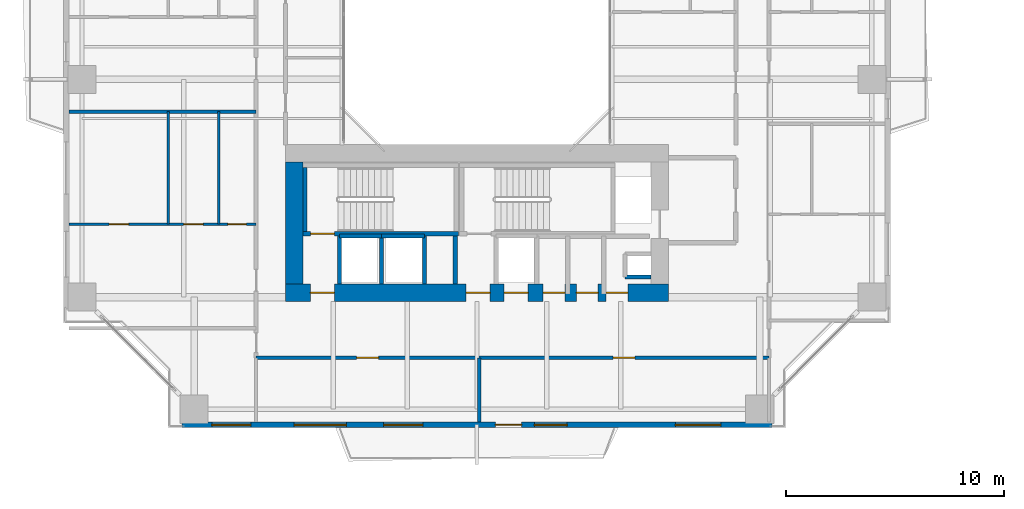
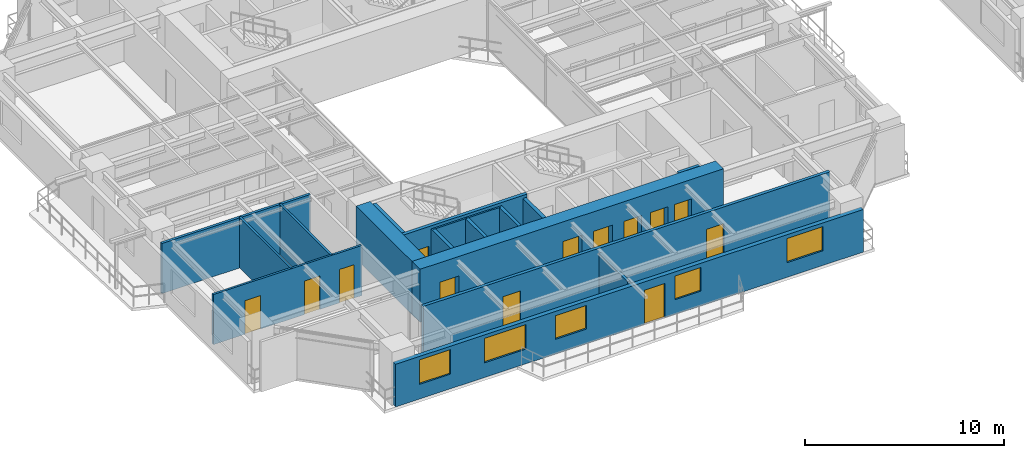
# One storey, part 12 of 23: 18 walls, 13 doors, 5 windows, 18 openings.
"""IFC4 building model written with IfcOpenShell, lengths in metres."""

from ifc_helpers import new_model, si_unit, direction, frame, frame_2d, origin, place, context, subcontext, project, spatial, rectangle, extrude, source, transform, mapped, material, layer, layer_set, type_object, element, fill, save


model = new_model("IFC4")

# Units and contexts
model_context = context("Model", 3, precision=1e-05, world=origin(), true_north=direction((0.0, 1.0)))
body_context = subcontext(model_context, "Body", "Model", "MODEL_VIEW")
ifc_project = project(units=[si_unit("LENGTHUNIT", "METRE"), si_unit("AREAUNIT", "SQUARE_METRE"), si_unit("VOLUMEUNIT", "CUBIC_METRE"), si_unit("PLANEANGLEUNIT", "RADIAN"), si_unit("MASSUNIT", "GRAM", prefix="KILO"), si_unit("THERMODYNAMICTEMPERATUREUNIT", "KELVIN"), si_unit("POWERUNIT", "WATT")], contexts=[model_context])

# Site, building, storey
site_placement = place(None, origin())
site = spatial("IfcSite", under=ifc_project, at=site_placement, CompositionType="ELEMENT")
building_placement = place(site_placement, origin())
building = spatial("IfcBuilding", under=site, at=building_placement, Name="Qiaomeng Ring Towers", CompositionType="ELEMENT")
storey_placement = place(building_placement, frame((0.0, 0.0, 32.75)))
storey = spatial("IfcBuildingStorey", under=building, at=storey_placement, Name="L08", CompositionType="ELEMENT", Elevation=32.75)

# Wall, openings, windows, door
ifc_material_1 = material(Name="Precast concrete C40", Category="concrete")
ifc_layer_1 = layer(ifc_material_1, 0.25, Name="Precast concrete C40")
ifc_layer_set_1 = layer_set([ifc_layer_1], Name="Precast concrete C40")
wall_type_1 = type_object("IfcWallType", Name="ARC-WL-EW1", PredefinedType="STANDARD", material=ifc_layer_set_1)
wall_1_placement = place(storey_placement, frame((5.449951171875, 4.125, 0.0), z_axis=(0.0, 0.0, 1.0), x_axis=(1.0, 0.0, 0.0)))
wall_1 = element("IfcWall", 1, at=wall_1_placement, inside=storey, type_object=wall_type_1, Name="L08 Tower 1 S Exterior Wall", PredefinedType="STANDARD", context=body_context, shape_type="SweptSolid", body=[
    extrude(rectangle(XDim=27.10009765625, YDim=0.25, at=frame_2d((13.550048828125, 0.0))), origin(), (0.0, 0.0, 1.0), 2.610107421875),
])
opening_1_placement = place(wall_1_placement, frame((14.39990234375, 0.0, 0.0)))
opening_1 = element("IfcOpeningElement", 2, at=opening_1_placement, cuts=wall_1, Name="Opening BD1", PredefinedType="OPENING", context=body_context, shape_type="SweptSolid", body=[
    extrude(rectangle(XDim=1.199951171875, YDim=2.10009765625, at=frame_2d((0.60009765625, 1.050048828125))), frame((0.0, 0.135009765625, 0.0), z_axis=(0.0, -1.0, 0.0), x_axis=(1.0, 0.0, 0.0)), (0.0, 0.0, 1.0), 0.27001953125),
])
opening_2_placement = place(wall_1_placement, frame((1.364990234375, 0.0, 0.89990234375)))
opening_2 = element("IfcOpeningElement", 3, at=opening_2_placement, cuts=wall_1, Name="Opening WN1", PredefinedType="OPENING", context=body_context, shape_type="SweptSolid", body=[
    extrude(rectangle(XDim=1.800048828125, YDim=1.5, at=frame_2d((0.89990234375, 0.75))), frame((0.0, 0.135009765625, 0.0), z_axis=(0.0, -1.0, 0.0), x_axis=(1.0, 0.0, 0.0)), (0.0, 0.0, 1.0), 0.27001953125),
])
opening_3_placement = place(wall_1_placement, frame((9.262939453125, 0.0, 0.89990234375)))
opening_3 = element("IfcOpeningElement", 4, at=opening_3_placement, cuts=wall_1, Name="Opening WN1", PredefinedType="OPENING", context=body_context, shape_type="SweptSolid", body=[
    extrude(rectangle(XDim=1.800048828125, YDim=1.449951171875, at=frame_2d((0.89990234375, 0.72509765625))), frame((0.0, 0.135009765625, 0.0), z_axis=(0.0, -1.0, 0.0), x_axis=(1.0, 0.0, 0.0)), (0.0, 0.0, 1.0), 0.27001953125),
])
opening_4_placement = place(wall_1_placement, frame((16.18798828125, 0.0, 0.89990234375)))
opening_4 = element("IfcOpeningElement", 5, at=opening_4_placement, cuts=wall_1, Name="Opening WN2", PredefinedType="OPENING", context=body_context, shape_type="SweptSolid", body=[
    extrude(rectangle(XDim=1.5, YDim=1.449951171875, at=frame_2d((0.75, 0.72509765625))), frame((0.0, 0.135009765625, 0.0), z_axis=(0.0, -1.0, 0.0), x_axis=(1.0, 0.0, 0.0)), (0.0, 0.0, 1.0), 0.27001953125),
])
opening_5_placement = place(wall_1_placement, frame((22.6630859375, 0.0, 0.89990234375)))
opening_5 = element("IfcOpeningElement", 6, at=opening_5_placement, cuts=wall_1, Name="Opening WN4", PredefinedType="OPENING", context=body_context, shape_type="SweptSolid", body=[
    extrude(rectangle(XDim=2.10009765625, YDim=1.47998046875, at=frame_2d((1.050048828125, 0.739990234375))), frame((0.0, 0.135009765625, 0.0), z_axis=(0.0, -1.0, 0.0), x_axis=(1.0, 0.0, 0.0)), (0.0, 0.0, 1.0), 0.27001953125),
])
opening_6_placement = place(wall_1_placement, frame((5.14892578125, 0.0, 0.89990234375)))
opening_6 = element("IfcOpeningElement", 7, at=opening_6_placement, cuts=wall_1, Name="Opening WN6", PredefinedType="OPENING", context=body_context, shape_type="SweptSolid", body=[
    extrude(rectangle(XDim=2.39990234375, YDim=1.5, at=frame_2d((1.199951171875, 0.75))), frame((0.0, 0.135009765625, 0.0), z_axis=(0.0, -1.0, 0.0), x_axis=(1.0, 0.0, 0.0)), (0.0, 0.0, 1.0), 0.27001953125),
])
ifc_material_2 = material(Name="Low-E dark-grey laminated double glazing", Category="glass")
window_type_1 = type_object("IfcWindowType", Name="ARC-WN-2", PartitioningType="DOUBLE_PANEL_VERTICAL", PredefinedType="WINDOW", material=ifc_material_2)
shared_shape_1 = source(origin(), body_context, "Body", "SweptSolid", [
    extrude(rectangle(XDim=1.5, YDim=1.449951171875, at=frame_2d((0.75, 0.72509765625))), frame((0.0, 0.030029296875, 0.0), z_axis=(0.0, -1.0, 0.0), x_axis=(1.0, 0.0, 0.0)), (0.0, 0.0, 1.0), 0.06005859375),
])
window_1_placement = place(opening_4_placement, origin())
window_1 = element("IfcWindow", 8, at=window_1_placement, inside=storey, type_object=window_type_1, Name="L08 Exterior Window WN2", OverallHeight=1.449951171875, OverallWidth=1.5, PartitioningType="DOUBLE_PANEL_VERTICAL", PredefinedType="WINDOW", context=body_context, shape_type="MappedRepresentation", body=[
    mapped(shared_shape_1, transform((0.0, 0.0, 0.0), x_axis=(1.0, 0.0, 0.0), y_axis=(0.0, 1.0, 0.0), z_axis=(0.0, 0.0, 1.0), scale=1.0)),
])
fill(opening_4, window_1)
window_type_2 = type_object("IfcWindowType", Name="ARC-WN-4", PartitioningType="TRIPLE_PANEL_VERTICAL", PredefinedType="WINDOW", material=ifc_material_2)
shared_shape_2 = source(origin(), body_context, "Body", "SweptSolid", [
    extrude(rectangle(XDim=2.10009765625, YDim=1.47998046875, at=frame_2d((1.050048828125, 0.739990234375))), frame((0.0, 0.030029296875, 0.0), z_axis=(0.0, -1.0, 0.0), x_axis=(1.0, 0.0, 0.0)), (0.0, 0.0, 1.0), 0.06005859375),
])
window_2_placement = place(opening_5_placement, origin())
window_2 = element("IfcWindow", 9, at=window_2_placement, inside=storey, type_object=window_type_2, Name="L08 Exterior Window WN4", OverallHeight=1.47998046875, OverallWidth=2.10009765625, PartitioningType="TRIPLE_PANEL_VERTICAL", PredefinedType="WINDOW", context=body_context, shape_type="MappedRepresentation", body=[
    mapped(shared_shape_2, transform((0.0, 0.0, 0.0), x_axis=(1.0, 0.0, 0.0), y_axis=(0.0, 1.0, 0.0), z_axis=(0.0, 0.0, 1.0), scale=1.0)),
])
fill(opening_5, window_2)
window_type_3 = type_object("IfcWindowType", Name="ARC-WN-1", PartitioningType="DOUBLE_PANEL_VERTICAL", PredefinedType="WINDOW", material=ifc_material_2)
shared_shape_3 = source(origin(), body_context, "Body", "SweptSolid", [
    extrude(rectangle(XDim=1.800048828125, YDim=1.449951171875, at=frame_2d((0.89990234375, 0.72509765625))), frame((0.0, 0.030029296875, 0.0), z_axis=(0.0, -1.0, 0.0), x_axis=(1.0, 0.0, 0.0)), (0.0, 0.0, 1.0), 0.06005859375),
])
window_3_placement = place(opening_3_placement, origin())
window_3 = element("IfcWindow", 10, at=window_3_placement, inside=storey, type_object=window_type_3, Name="L08 Exterior Window WN1", OverallHeight=1.449951171875, OverallWidth=1.800048828125, PartitioningType="DOUBLE_PANEL_VERTICAL", PredefinedType="WINDOW", context=body_context, shape_type="MappedRepresentation", body=[
    mapped(shared_shape_3, transform((0.0, 0.0, 0.0), x_axis=(1.0, 0.0, 0.0), y_axis=(0.0, 1.0, 0.0), z_axis=(0.0, 0.0, 1.0), scale=1.0)),
])
fill(opening_3, window_3)
door_type_1 = type_object("IfcDoorType", Name="ARC-DR-BD1", OperationType="NOTDEFINED", PredefinedType="DOOR", material=ifc_material_2)
shared_shape_4 = source(origin(), body_context, "Body", "SweptSolid", [
    extrude(rectangle(XDim=1.199951171875, YDim=2.10009765625, at=frame_2d((0.60009765625, 1.050048828125))), frame((0.0, 0.02490234375, 0.0), z_axis=(0.0, -1.0, 0.0), x_axis=(1.0, 0.0, 0.0)), (0.0, 0.0, 1.0), 0.050048828125),
])
door_1_placement = place(opening_1_placement, frame((1.199951171875, 0.0, 0.0), z_axis=(0.0, 0.0, 1.0), x_axis=(-1.0, 0.0, 0.0)))
door_1 = element("IfcDoor", 11, at=door_1_placement, inside=storey, type_object=door_type_1, Name="L08 S Balcony Glazed Door", OperationType="SINGLE_SWING_LEFT", OverallHeight=2.10009765625, OverallWidth=1.199951171875, PredefinedType="DOOR", context=body_context, shape_type="MappedRepresentation", body=[
    mapped(shared_shape_4, transform((0.0, 0.0, 0.0), x_axis=(1.0, 0.0, 0.0), y_axis=(0.0, 1.0, 0.0), z_axis=(0.0, 0.0, 1.0), scale=1.0)),
])
fill(opening_1, door_1)
window_type_4 = type_object("IfcWindowType", Name="ARC-WN-6", PartitioningType="TRIPLE_PANEL_VERTICAL", PredefinedType="WINDOW", material=ifc_material_2)
shared_shape_5 = source(origin(), body_context, "Body", "SweptSolid", [
    extrude(rectangle(XDim=2.39990234375, YDim=1.5, at=frame_2d((1.199951171875, 0.75))), frame((0.0, 0.030029296875, 0.0), z_axis=(0.0, -1.0, 0.0), x_axis=(1.0, 0.0, 0.0)), (0.0, 0.0, 1.0), 0.06005859375),
])
window_4_placement = place(opening_6_placement, origin())
window_4 = element("IfcWindow", 12, at=window_4_placement, inside=storey, type_object=window_type_4, Name="L08 Exterior Window WN6", OverallHeight=1.5, OverallWidth=2.39990234375, PartitioningType="TRIPLE_PANEL_VERTICAL", PredefinedType="WINDOW", context=body_context, shape_type="MappedRepresentation", body=[
    mapped(shared_shape_5, transform((0.0, 0.0, 0.0), x_axis=(1.0, 0.0, 0.0), y_axis=(0.0, 1.0, 0.0), z_axis=(0.0, 0.0, 1.0), scale=1.0)),
])
fill(opening_6, window_4)
shared_shape_6 = source(origin(), body_context, "Body", "SweptSolid", [
    extrude(rectangle(XDim=1.800048828125, YDim=1.5, at=frame_2d((0.89990234375, 0.75))), frame((0.0, 0.030029296875, 0.0), z_axis=(0.0, -1.0, 0.0), x_axis=(1.0, 0.0, 0.0)), (0.0, 0.0, 1.0), 0.06005859375),
])
window_5_placement = place(opening_2_placement, origin())
window_5 = element("IfcWindow", 13, at=window_5_placement, inside=storey, type_object=window_type_3, Name="L08 Exterior Window WN6", OverallHeight=1.5, OverallWidth=1.800048828125, PartitioningType="TRIPLE_PANEL_VERTICAL", PredefinedType="WINDOW", context=body_context, shape_type="MappedRepresentation", body=[
    mapped(shared_shape_6, transform((0.0, 0.0, 0.0), x_axis=(1.0, 0.0, 0.0), y_axis=(0.0, 1.0, 0.0), z_axis=(0.0, 0.0, 1.0), scale=1.0)),
])
fill(opening_2, window_5)

# Walls
ifc_material_3 = material(Name="Autoclaved aerated concrete block", Category="concrete")
ifc_layer_2 = layer(ifc_material_3, 0.199951171875, Name="Autoclaved aerated concrete block")
ifc_layer_set_2 = layer_set([ifc_layer_2], Name="Autoclaved aerated concrete block")
wall_type_2 = type_object("IfcWallType", Name="ARC-WL-PW1", PredefinedType="PARTITIONING", material=ifc_layer_set_2)
for number, where, z_axis, x_axis, name in (
    (14, (12.679931640625, 10.60009765625, 0.0), (0.0, 0.0, 1.0), (0.0, 1.0, 0.0), "L08 Interior Wall PW1"),
    (15, (18.0, 10.60009765625, 0.0), (0.0, 0.0, 1.0), (0.0, 1.0, 0.0), "L08 Interior Wall PW1"),
):
    element("IfcWall", number, at=place(storey_placement, frame(where, z_axis=z_axis, x_axis=x_axis)), inside=storey, type_object=wall_type_2, Name=name, PredefinedType="PARTITIONING", context=body_context, shape_type="SweptSolid", body=[
        extrude(rectangle(XDim=2.2099609375, YDim=0.199951171875, at=frame_2d((1.10498046875, 0.0))), origin(), (0.0, 0.0, 1.0), 3.070068359375),
    ])

# Wall, openings, doors
ifc_layer_3 = layer(ifc_material_3, 0.179931640625, Name="Autoclaved aerated concrete block")
ifc_layer_set_3 = layer_set([ifc_layer_3], Name="Autoclaved aerated concrete block")
wall_type_3 = type_object("IfcWallType", Name="ARC-WL-PW2", PredefinedType="PARTITIONING", material=ifc_layer_set_3)
wall_2_placement = place(storey_placement, frame((8.85009765625, 7.2099609375, 0.0), z_axis=(0.0, 0.0, 1.0), x_axis=(1.0, 0.0, 0.0)))
wall_2 = element("IfcWall", 16, at=wall_2_placement, inside=storey, type_object=wall_type_3, Name="L08 Interior Wall PW2", PredefinedType="PARTITIONING", context=body_context, shape_type="SweptSolid", body=[
    extrude(rectangle(XDim=23.56982421875, YDim=0.179931640625, at=frame_2d((11.784912109375, 0.0))), origin(), (0.0, 0.0, 1.0), 3.070068359375),
])
opening_7_placement = place(wall_2_placement, frame((4.625, 0.0, 0.0)))
opening_7 = element("IfcOpeningElement", 17, at=opening_7_placement, cuts=wall_2, Name="Opening FD4", PredefinedType="OPENING", context=body_context, shape_type="SweptSolid", body=[
    extrude(rectangle(XDim=1.0, YDim=2.050048828125, at=frame_2d((0.5, 1.02490234375))), frame((0.0, 0.099853515625, 0.0), z_axis=(0.0, -1.0, 0.0), x_axis=(1.0, 0.0, 0.0)), (0.0, 0.0, 1.0), 0.199951171875),
])
opening_8_placement = place(wall_2_placement, frame((16.409912109375, 0.0, 0.0)))
opening_8 = element("IfcOpeningElement", 18, at=opening_8_placement, cuts=wall_2, Name="Opening FD4", PredefinedType="OPENING", context=body_context, shape_type="SweptSolid", body=[
    extrude(rectangle(XDim=1.0, YDim=2.050048828125, at=frame_2d((0.5, 1.02490234375))), frame((0.0, 0.099853515625, 0.0), z_axis=(0.0, -1.0, 0.0), x_axis=(1.0, 0.0, 0.0)), (0.0, 0.0, 1.0), 0.199951171875),
])
ifc_material_4 = material(Name="Engineered fire-rated oak timber", Category="wood")
door_type_2 = type_object("IfcDoorType", Name="ARC-DR-FD4", OperationType="NOTDEFINED", PredefinedType="DOOR", material=ifc_material_4)
shared_shape_7 = source(origin(), body_context, "Body", "SweptSolid", [
    extrude(rectangle(XDim=1.0, YDim=2.050048828125, at=frame_2d((0.5, 1.02490234375))), frame((0.0, 0.02490234375, 0.0), z_axis=(0.0, -1.0, 0.0), x_axis=(1.0, 0.0, 0.0)), (0.0, 0.0, 1.0), 0.050048828125),
])
door_2_placement = place(opening_7_placement, origin())
door_2 = element("IfcDoor", 19, at=door_2_placement, inside=storey, type_object=door_type_2, Name="L08 Door FD4", OperationType="SINGLE_SWING_LEFT", OverallHeight=2.050048828125, OverallWidth=1.0, PredefinedType="DOOR", context=body_context, shape_type="MappedRepresentation", body=[
    mapped(shared_shape_7, transform((0.0, 0.0, 0.0), x_axis=(1.0, 0.0, 0.0), y_axis=(0.0, 1.0, 0.0), z_axis=(0.0, 0.0, 1.0), scale=1.0)),
])
fill(opening_7, door_2)
door_3_placement = place(opening_8_placement, origin())
door_3 = element("IfcDoor", 20, at=door_3_placement, inside=storey, type_object=door_type_2, Name="L08 Door FD4", OperationType="SINGLE_SWING_RIGHT", OverallHeight=2.050048828125, OverallWidth=1.0, PredefinedType="DOOR", context=body_context, shape_type="MappedRepresentation", body=[
    mapped(shared_shape_7, transform((0.0, 0.0, 0.0), x_axis=(1.0, 0.0, 0.0), y_axis=(0.0, 1.0, 0.0), z_axis=(0.0, 0.0, 1.0), scale=1.0)),
])
fill(opening_8, door_3)

# Walls
ifc_material_5 = material(Name="Gypsum fireboard steel-stud partition", Category="steel")
ifc_layer_4 = layer(ifc_material_5, 0.14990234375, Name="Gypsum fireboard steel-stud partition")
ifc_layer_set_4 = layer_set([ifc_layer_4], Name="Gypsum fireboard steel-stud partition")
wall_type_4 = type_object("IfcWallType", Name="ARC-WL-PW3", PredefinedType="PARTITIONING", material=ifc_layer_set_4)
wall_3_placement = place(storey_placement, frame((19.10009765625, 4.25, 0.0), z_axis=(0.0, 0.0, 1.0), x_axis=(0.0, 1.0, 0.0)))
element("IfcWall", 21, at=wall_3_placement, inside=storey, type_object=wall_type_4, Name="L08 Interior Wall PW3", PredefinedType="PARTITIONING", context=body_context, shape_type="SweptSolid", body=[
    extrude(rectangle(XDim=2.9599609375, YDim=0.14990234375, at=frame_2d((1.47998046875, 0.0))), origin(), (0.0, 0.0, 1.0), 2.77099609375),
])
wall_4_placement = place(storey_placement, frame((0.25, 18.52001953125, 0.0), z_axis=(0.0, 0.0, 1.0), x_axis=(1.0, 0.0, 0.0)))
element("IfcWall", 22, at=wall_4_placement, inside=storey, type_object=wall_type_4, Name="L08 Interior Wall PW3", PredefinedType="PARTITIONING", context=body_context, shape_type="SweptSolid", body=[
    extrude(rectangle(XDim=8.60009765625, YDim=0.14990234375, at=frame_2d((4.300048828125, 0.0))), origin(), (0.0, 0.0, 1.0), 3.070068359375),
])

# Wall, openings, doors
ifc_material_6 = material(Name="Moisture-resistant gypsum steel-stud partition", Category="steel")
ifc_layer_5 = layer(ifc_material_6, 0.1201171875, Name="Moisture-resistant gypsum steel-stud partition")
ifc_layer_set_5 = layer_set([ifc_layer_5], Name="Moisture-resistant gypsum steel-stud partition")
wall_type_5 = type_object("IfcWallType", Name="ARC-WL-PW4", PredefinedType="PLUMBINGWALL", material=ifc_layer_set_5)
wall_5_placement = place(storey_placement, frame((0.25, 13.35009765625, 0.0), z_axis=(0.0, 0.0, 1.0), x_axis=(1.0, 0.0, 0.0)))
wall_5 = element("IfcWall", 23, at=wall_5_placement, inside=storey, type_object=wall_type_5, Name="L08 Interior Wall PW4", PredefinedType="PLUMBINGWALL", context=body_context, shape_type="SweptSolid", body=[
    extrude(rectangle(XDim=8.60009765625, YDim=0.1201171875, at=frame_2d((4.300048828125, 0.0))), origin(), (0.0, 0.0, 1.0), 3.070068359375),
])
opening_9_placement = place(wall_5_placement, frame((1.840087890625, 0.0, 0.0)))
opening_9 = element("IfcOpeningElement", 24, at=opening_9_placement, cuts=wall_5, Name="Opening ID1", PredefinedType="OPENING", context=body_context, shape_type="SweptSolid", body=[
    extrude(rectangle(XDim=0.89990234375, YDim=2.050048828125, at=frame_2d((0.449951171875, 1.02490234375))), frame((0.0, 0.070068359375, 0.0), z_axis=(0.0, -1.0, 0.0), x_axis=(1.0, 0.0, 0.0)), (0.0, 0.0, 1.0), 0.14013671875),
])
opening_10_placement = place(wall_5_placement, frame((5.27001953125, 0.0, 0.0)))
opening_10 = element("IfcOpeningElement", 25, at=opening_10_placement, cuts=wall_5, Name="Opening ID1", PredefinedType="OPENING", context=body_context, shape_type="SweptSolid", body=[
    extrude(rectangle(XDim=0.89990234375, YDim=2.050048828125, at=frame_2d((0.449951171875, 1.02490234375))), frame((0.0, 0.070068359375, 0.0), z_axis=(0.0, -1.0, 0.0), x_axis=(1.0, 0.0, 0.0)), (0.0, 0.0, 1.0), 0.14013671875),
])
opening_11_placement = place(wall_5_placement, frame((7.304931640625, 0.0, 0.0)))
opening_11 = element("IfcOpeningElement", 26, at=opening_11_placement, cuts=wall_5, Name="Opening ID2", PredefinedType="OPENING", context=body_context, shape_type="SweptSolid", body=[
    extrude(rectangle(XDim=0.85009765625, YDim=2.050048828125, at=frame_2d((0.425048828125, 1.02490234375))), frame((0.0, 0.070068359375, 0.0), z_axis=(0.0, -1.0, 0.0), x_axis=(1.0, 0.0, 0.0)), (0.0, 0.0, 1.0), 0.14013671875),
])
ifc_material_7 = material(Name="Moisture-resistant engineered timber", Category="wood")
door_type_3 = type_object("IfcDoorType", Name="ARC-DR-ID2", OperationType="NOTDEFINED", PredefinedType="DOOR", material=ifc_material_7)
shared_shape_8 = source(origin(), body_context, "Body", "SweptSolid", [
    extrude(rectangle(XDim=0.85009765625, YDim=2.050048828125, at=frame_2d((0.425048828125, 1.02490234375))), frame((0.0, 0.02490234375, 0.0), z_axis=(0.0, -1.0, 0.0), x_axis=(1.0, 0.0, 0.0)), (0.0, 0.0, 1.0), 0.050048828125),
])
door_4_placement = place(opening_11_placement, origin())
door_4 = element("IfcDoor", 27, at=door_4_placement, inside=storey, type_object=door_type_3, Name="L08 Door ID2", OperationType="SINGLE_SWING_LEFT", OverallHeight=2.050048828125, OverallWidth=0.85009765625, PredefinedType="DOOR", context=body_context, shape_type="MappedRepresentation", body=[
    mapped(shared_shape_8, transform((0.0, 0.0, 0.0), x_axis=(1.0, 0.0, 0.0), y_axis=(0.0, 1.0, 0.0), z_axis=(0.0, 0.0, 1.0), scale=1.0)),
])
fill(opening_11, door_4)
ifc_material_8 = material(Name="Engineered oak timber", Category="wood")
door_type_4 = type_object("IfcDoorType", Name="ARC-DR-ID1", OperationType="NOTDEFINED", PredefinedType="DOOR", material=ifc_material_8)
shared_shape_9 = source(origin(), body_context, "Body", "SweptSolid", [
    extrude(rectangle(XDim=0.89990234375, YDim=2.050048828125, at=frame_2d((0.449951171875, 1.02490234375))), frame((0.0, 0.02490234375, 0.0), z_axis=(0.0, -1.0, 0.0), x_axis=(1.0, 0.0, 0.0)), (0.0, 0.0, 1.0), 0.050048828125),
])
door_5_placement = place(opening_9_placement, origin())
door_5 = element("IfcDoor", 28, at=door_5_placement, inside=storey, type_object=door_type_4, Name="L08 Door ID1", OperationType="SINGLE_SWING_LEFT", OverallHeight=2.050048828125, OverallWidth=0.89990234375, PredefinedType="DOOR", context=body_context, shape_type="MappedRepresentation", body=[
    mapped(shared_shape_9, transform((0.0, 0.0, 0.0), x_axis=(1.0, 0.0, 0.0), y_axis=(0.0, 1.0, 0.0), z_axis=(0.0, 0.0, 1.0), scale=1.0)),
])
fill(opening_9, door_5)
door_6_placement = place(opening_10_placement, origin())
door_6 = element("IfcDoor", 29, at=door_6_placement, inside=storey, type_object=door_type_4, Name="L08 Door ID1", OperationType="SINGLE_SWING_RIGHT", OverallHeight=2.050048828125, OverallWidth=0.89990234375, PredefinedType="DOOR", context=body_context, shape_type="MappedRepresentation", body=[
    mapped(shared_shape_9, transform((0.0, 0.0, 0.0), x_axis=(1.0, 0.0, 0.0), y_axis=(0.0, 1.0, 0.0), z_axis=(0.0, 0.0, 1.0), scale=1.0)),
])
fill(opening_10, door_6)

# Walls
for number, where, z_axis, x_axis, name in (
    (30, (4.81005859375, 13.35009765625, 0.0), (0.0, 0.0, 1.0), (0.0, 1.0, 0.0), "L08 Interior Wall PW4"),
    (31, (7.1298828125, 13.35009765625, 0.0), (0.0, 0.0, 1.0), (0.0, 1.0, 0.0), "L08 Interior Wall PW4"),
):
    element("IfcWall", number, at=place(storey_placement, frame(where, z_axis=z_axis, x_axis=x_axis)), inside=storey, type_object=wall_type_5, Name=name, PredefinedType="PLUMBINGWALL", context=body_context, shape_type="SweptSolid", body=[
        extrude(rectangle(XDim=5.169921875, YDim=0.1201171875, at=frame_2d((2.5849609375, 0.0))), origin(), (0.0, 0.0, 1.0), 3.070068359375),
    ])
ifc_material_9 = material(Name="Concrete C40", Category="concrete")
ifc_layer_6 = layer(ifc_material_9, 0.199951171875, Name="Concrete C40")
ifc_layer_set_6 = layer_set([ifc_layer_6], Name="Concrete C40")
wall_type_6 = type_object("IfcWallType", Name="STR-WL-STSHAFT", PredefinedType="SHEAR", material=ifc_layer_set_6)
wall_6_placement = place(storey_placement, frame((12.679931640625, 12.800048828125, 0.0), z_axis=(0.0, 0.0, 1.0), x_axis=(1.0, 0.0, 0.0)))
element("IfcWall", 32, at=wall_6_placement, inside=storey, type_object=wall_type_6, Name="L08 Lift LP6 Shaft Back Wall", PredefinedType="SHEAR", context=body_context, shape_type="SweptSolid", body=[
    extrude(rectangle(XDim=1.940185546875, YDim=0.179931640625, at=frame_2d((0.97021484375, 0.0))), origin(), (0.0, 0.0, 1.0), 3.070068359375),
])
wall_7_placement = place(storey_placement, frame((14.6201171875, 10.60009765625, 0.0), z_axis=(0.0, 0.0, 1.0), x_axis=(0.0, 1.0, 0.0)))
element("IfcWall", 33, at=wall_7_placement, inside=storey, type_object=wall_type_6, Name="L08 Lift LP6-LP4 Shaft Divider Wall", PredefinedType="SHEAR", context=body_context, shape_type="SweptSolid", body=[
    extrude(rectangle(XDim=2.199951171875, YDim=0.179931640625, at=frame_2d((1.10009765625, 0.0))), origin(), (0.0, 0.0, 1.0), 3.070068359375),
])
wall_8_placement = place(storey_placement, frame((25.800048828125, 10.919921875, 0.0), z_axis=(0.0, 0.0, 1.0), x_axis=(1.0, 0.0, 0.0)))
element("IfcWall", 34, at=wall_8_placement, inside=storey, type_object=wall_type_6, Name="L08 Riser RSR1 South Shaft Wall S", PredefinedType="SHEAR", context=body_context, shape_type="SweptSolid", body=[
    extrude(rectangle(XDim=1.199951171875, YDim=0.179931640625, at=frame_2d((0.60009765625, 0.0))), origin(), (0.0, 0.0, 1.0), 3.070068359375),
])
wall_9_placement = place(storey_placement, frame((14.6201171875, 12.800048828125, 0.0), z_axis=(0.0, 0.0, 1.0), x_axis=(1.0, 0.0, 0.0)))
element("IfcWall", 35, at=wall_9_placement, inside=storey, type_object=wall_type_6, Name="L08 Lift LP4 Shaft Back Wall", PredefinedType="SHEAR", context=body_context, shape_type="SweptSolid", body=[
    extrude(rectangle(XDim=1.9599609375, YDim=0.179931640625, at=frame_2d((0.97998046875, 0.0))), origin(), (0.0, 0.0, 1.0), 3.070068359375),
])
wall_10_placement = place(storey_placement, frame((16.580078125, 10.60009765625, 0.0), z_axis=(0.0, 0.0, 1.0), x_axis=(0.0, 1.0, 0.0)))
element("IfcWall", 36, at=wall_10_placement, inside=storey, type_object=wall_type_6, Name="L08 Lift LP4 East Shaft Wall", PredefinedType="SHEAR", context=body_context, shape_type="SweptSolid", body=[
    extrude(rectangle(XDim=2.199951171875, YDim=0.179931640625, at=frame_2d((1.10009765625, 0.0))), origin(), (0.0, 0.0, 1.0), 3.070068359375),
])

# Wall, opening, door
wall_11_placement = place(storey_placement, frame((11.0, 12.909912109375, 0.0), z_axis=(0.0, 0.0, 1.0), x_axis=(1.0, 0.0, 0.0)))
wall_11 = element("IfcWall", 37, at=wall_11_placement, inside=storey, type_object=wall_type_6, Name="L08 Stair ST3 South Shaft Shear Wall", PredefinedType="SHEAR", context=body_context, shape_type="SweptSolid", body=[
    extrude(rectangle(XDim=7.14990234375, YDim=0.199951171875, at=frame_2d((3.574951171875, 0.0))), origin(), (0.0, 0.0, 1.0), 3.25),
])
opening_12_placement = place(wall_11_placement, frame((0.35009765625, 0.0, 0.0)))
opening_12 = element("IfcOpeningElement", 38, at=opening_12_placement, cuts=wall_11, Name="Opening FD3", PredefinedType="OPENING", context=body_context, shape_type="SweptSolid", body=[
    extrude(rectangle(XDim=1.10009765625, YDim=2.050048828125, at=frame_2d((0.550048828125, 1.02490234375))), frame((0.0, 0.10986328125, 0.0), z_axis=(0.0, -1.0, 0.0), x_axis=(1.0, 0.0, 0.0)), (0.0, 0.0, 1.0), 0.219970703125),
])
ifc_material_10 = material(Name="Galvanised steel", Category="steel")
door_type_5 = type_object("IfcDoorType", Name="ARC-DR-FD3", OperationType="NOTDEFINED", PredefinedType="DOOR", material=ifc_material_10)
shared_shape_10 = source(origin(), body_context, "Body", "SweptSolid", [
    extrude(rectangle(XDim=1.10009765625, YDim=2.050048828125, at=frame_2d((0.550048828125, 1.02490234375))), frame((0.0, 0.02490234375, 0.0), z_axis=(0.0, -1.0, 0.0), x_axis=(1.0, 0.0, 0.0)), (0.0, 0.0, 1.0), 0.050048828125),
])
door_7_placement = place(opening_12_placement, frame((1.10009765625, 0.0, 0.0), z_axis=(0.0, 0.0, 1.0), x_axis=(-1.0, 0.0, 0.0)))
door_7 = element("IfcDoor", 39, at=door_7_placement, inside=storey, type_object=door_type_5, Name="L08 Stair ST3 Exit Door", OperationType="SINGLE_SWING_LEFT", OverallHeight=2.050048828125, OverallWidth=1.10009765625, PredefinedType="DOOR", context=body_context, shape_type="MappedRepresentation", body=[
    mapped(shared_shape_10, transform((0.0, 0.0, 0.0), x_axis=(1.0, 0.0, 0.0), y_axis=(0.0, 1.0, 0.0), z_axis=(0.0, 0.0, 1.0), scale=1.0)),
])
fill(opening_12, door_7)

# Wall
wall_12_placement = place(storey_placement, frame((11.10009765625, 13.010009765625, 0.0), z_axis=(0.0, 0.0, 1.0), x_axis=(0.0, 1.0, 0.0)))
element("IfcWall", 40, at=wall_12_placement, inside=storey, type_object=wall_type_6, Name="L08 Stair ST3 West Shaft Shear Wall", PredefinedType="SHEAR", context=body_context, shape_type="SweptSolid", body=[
    extrude(rectangle(XDim=2.93994140625, YDim=0.199951171875, at=frame_2d((1.469970703125, 0.0))), origin(), (0.0, 0.0, 1.0), 3.25),
])

# Wall, openings, doors
ifc_material_11 = material(Name="Concrete C60", Category="concrete")
ifc_layer_7 = layer(ifc_material_11, 0.800048828125, Name="Concrete C60")
ifc_layer_set_7 = layer_set([ifc_layer_7], Name="Concrete C60")
wall_type_7 = type_object("IfcWallType", Name="STR-WL-SW1", PredefinedType="SHEAR", material=ifc_layer_set_7)
wall_13_placement = place(storey_placement, frame((10.199951171875, 10.199951171875, 0.0), z_axis=(0.0, 0.0, 1.0), x_axis=(1.0, 0.0, 0.0)))
wall_13 = element("IfcWall", 41, at=wall_13_placement, inside=storey, type_object=wall_type_7, Name="L08 T1SC south core shear wall", PredefinedType="SHEAR", context=body_context, shape_type="SweptSolid", body=[
    extrude(rectangle(XDim=17.60009765625, YDim=0.800048828125, at=frame_2d((8.800048828125, 0.0))), origin(), (0.0, 0.0, 1.0), 3.25),
])
opening_13_placement = place(wall_13_placement, frame((1.14990234375, 0.0, 0.0)))
opening_13 = element("IfcOpeningElement", 42, at=opening_13_placement, cuts=wall_13, Name="Opening FD3", PredefinedType="OPENING", context=body_context, shape_type="SweptSolid", body=[
    extrude(rectangle(XDim=1.10009765625, YDim=2.050048828125, at=frame_2d((0.550048828125, 1.02490234375))), frame((0.0, 0.409912109375, 0.0), z_axis=(0.0, -1.0, 0.0), x_axis=(1.0, 0.0, 0.0)), (0.0, 0.0, 1.0), 0.820068359375),
])
opening_14_placement = place(wall_13_placement, frame((8.300048828125, 0.0, 0.0)))
opening_14 = element("IfcOpeningElement", 43, at=opening_14_placement, cuts=wall_13, Name="Opening FD3", PredefinedType="OPENING", context=body_context, shape_type="SweptSolid", body=[
    extrude(rectangle(XDim=1.10009765625, YDim=2.050048828125, at=frame_2d((0.550048828125, 1.02490234375))), frame((0.0, 0.409912109375, 0.0), z_axis=(0.0, -1.0, 0.0), x_axis=(1.0, 0.0, 0.0)), (0.0, 0.0, 1.0), 0.820068359375),
])
opening_15_placement = place(wall_13_placement, frame((10.050048828125, 0.0, 0.0)))
opening_15 = element("IfcOpeningElement", 44, at=opening_15_placement, cuts=wall_13, Name="Opening LD1", PredefinedType="OPENING", context=body_context, shape_type="SweptSolid", body=[
    extrude(rectangle(XDim=1.10009765625, YDim=2.050048828125, at=frame_2d((0.550048828125, 1.02490234375))), frame((0.0, 0.409912109375, 0.0), z_axis=(0.0, -1.0, 0.0), x_axis=(1.0, 0.0, 0.0)), (0.0, 0.0, 1.0), 0.820068359375),
])
opening_16_placement = place(wall_13_placement, frame((14.739990234375, 0.0, 0.0)))
opening_16 = element("IfcOpeningElement", 45, at=opening_16_placement, cuts=wall_13, Name="Opening FD1", PredefinedType="OPENING", context=body_context, shape_type="SweptSolid", body=[
    extrude(rectangle(XDim=1.0, YDim=2.050048828125, at=frame_2d((0.5, 1.02490234375))), frame((0.0, 0.409912109375, 0.0), z_axis=(0.0, -1.0, 0.0), x_axis=(1.0, 0.0, 0.0)), (0.0, 0.0, 1.0), 0.820068359375),
])
opening_17_placement = place(wall_13_placement, frame((11.8349609375, 0.0, 0.0)))
opening_17 = element("IfcOpeningElement", 46, at=opening_17_placement, cuts=wall_13, Name="Opening FD1", PredefinedType="OPENING", context=body_context, shape_type="SweptSolid", body=[
    extrude(rectangle(XDim=1.0, YDim=2.050048828125, at=frame_2d((0.5, 1.02490234375))), frame((0.0, 0.409912109375, 0.0), z_axis=(0.0, -1.0, 0.0), x_axis=(1.0, 0.0, 0.0)), (0.0, 0.0, 1.0), 0.820068359375),
])
opening_18_placement = place(wall_13_placement, frame((13.3701171875, 0.0, 0.0)))
opening_18 = element("IfcOpeningElement", 47, at=opening_18_placement, cuts=wall_13, Name="Opening FD1", PredefinedType="OPENING", context=body_context, shape_type="SweptSolid", body=[
    extrude(rectangle(XDim=1.0, YDim=2.050048828125, at=frame_2d((0.5, 1.02490234375))), frame((0.0, 0.409912109375, 0.0), z_axis=(0.0, -1.0, 0.0), x_axis=(1.0, 0.0, 0.0)), (0.0, 0.0, 1.0), 0.820068359375),
])
door_8_placement = place(opening_13_placement, origin())
door_8 = element("IfcDoor", 48, at=door_8_placement, inside=storey, type_object=door_type_5, Name="L08 Stair ST3 Lobby Door", OperationType="SINGLE_SWING_RIGHT", OverallHeight=2.050048828125, OverallWidth=1.10009765625, PredefinedType="DOOR", context=body_context, shape_type="MappedRepresentation", body=[
    mapped(shared_shape_10, transform((0.0, 0.0, 0.0), x_axis=(1.0, 0.0, 0.0), y_axis=(0.0, 1.0, 0.0), z_axis=(0.0, 0.0, 1.0), scale=1.0)),
])
fill(opening_13, door_8)
door_9_placement = place(opening_14_placement, origin())
door_9 = element("IfcDoor", 49, at=door_9_placement, inside=storey, type_object=door_type_5, Name="L08 Stair ST4 Lobby Door", OperationType="SINGLE_SWING_RIGHT", OverallHeight=2.050048828125, OverallWidth=1.10009765625, PredefinedType="DOOR", context=body_context, shape_type="MappedRepresentation", body=[
    mapped(shared_shape_10, transform((0.0, 0.0, 0.0), x_axis=(1.0, 0.0, 0.0), y_axis=(0.0, 1.0, 0.0), z_axis=(0.0, 0.0, 1.0), scale=1.0)),
])
fill(opening_14, door_9)
ifc_material_12 = material(Name="Stainless steel 316", Category="steel")
door_type_6 = type_object("IfcDoorType", Name="ARC-DR-LD1", OperationType="NOTDEFINED", PredefinedType="DOOR", material=ifc_material_12)
door_10_placement = place(opening_15_placement, origin())
door_10 = element("IfcDoor", 50, at=door_10_placement, inside=storey, type_object=door_type_6, Name="L08 Low-Zone Lift LP2 Landing Door", OperationType="SLIDING_TO_RIGHT", OverallHeight=2.050048828125, OverallWidth=1.10009765625, PredefinedType="DOOR", context=body_context, shape_type="MappedRepresentation", body=[
    mapped(shared_shape_10, transform((0.0, 0.0, 0.0), x_axis=(1.0, 0.0, 0.0), y_axis=(0.0, 1.0, 0.0), z_axis=(0.0, 0.0, 1.0), scale=1.0)),
])
fill(opening_15, door_10)
door_type_7 = type_object("IfcDoorType", Name="ARC-DR-FD1", OperationType="NOTDEFINED", PredefinedType="DOOR", material=ifc_material_10)
door_11_placement = place(opening_16_placement, origin())
door_11 = element("IfcDoor", 51, at=door_11_placement, inside=storey, type_object=door_type_7, Name="L08 South Electrical Riser Door", OperationType="SINGLE_SWING_LEFT", OverallHeight=2.050048828125, OverallWidth=1.0, PredefinedType="DOOR", context=body_context, shape_type="MappedRepresentation", body=[
    mapped(shared_shape_7, transform((0.0, 0.0, 0.0), x_axis=(1.0, 0.0, 0.0), y_axis=(0.0, 1.0, 0.0), z_axis=(0.0, 0.0, 1.0), scale=1.0)),
])
fill(opening_16, door_11)
door_12_placement = place(opening_17_placement, origin())
door_12 = element("IfcDoor", 52, at=door_12_placement, inside=storey, type_object=door_type_7, Name="L08 South Cleaners Cupboard Door", OperationType="SINGLE_SWING_RIGHT", OverallHeight=2.050048828125, OverallWidth=1.0, PredefinedType="DOOR", context=body_context, shape_type="MappedRepresentation", body=[
    mapped(shared_shape_7, transform((0.0, 0.0, 0.0), x_axis=(1.0, 0.0, 0.0), y_axis=(0.0, 1.0, 0.0), z_axis=(0.0, 0.0, 1.0), scale=1.0)),
])
fill(opening_17, door_12)
door_13_placement = place(opening_18_placement, origin())
door_13 = element("IfcDoor", 53, at=door_13_placement, inside=storey, type_object=door_type_7, Name="L08 South Tea Pantry Door", OperationType="SINGLE_SWING_LEFT", OverallHeight=2.050048828125, OverallWidth=1.0, PredefinedType="DOOR", context=body_context, shape_type="MappedRepresentation", body=[
    mapped(shared_shape_7, transform((0.0, 0.0, 0.0), x_axis=(1.0, 0.0, 0.0), y_axis=(0.0, 1.0, 0.0), z_axis=(0.0, 0.0, 1.0), scale=1.0)),
])
fill(opening_18, door_13)

# Wall
wall_14_placement = place(storey_placement, frame((10.60009765625, 10.60009765625, 0.0), z_axis=(0.0, 0.0, 1.0), x_axis=(0.0, 1.0, 0.0)))
element("IfcWall", 54, at=wall_14_placement, inside=storey, type_object=wall_type_7, Name="L08 T1SC west core shear wall", PredefinedType="SHEAR", context=body_context, shape_type="SweptSolid", body=[
    extrude(rectangle(XDim=5.599853515625, YDim=0.800048828125, at=frame_2d((2.7998046875, 0.0))), origin(), (0.0, 0.0, 1.0), 3.25),
])

save(model, "model.ifc")
